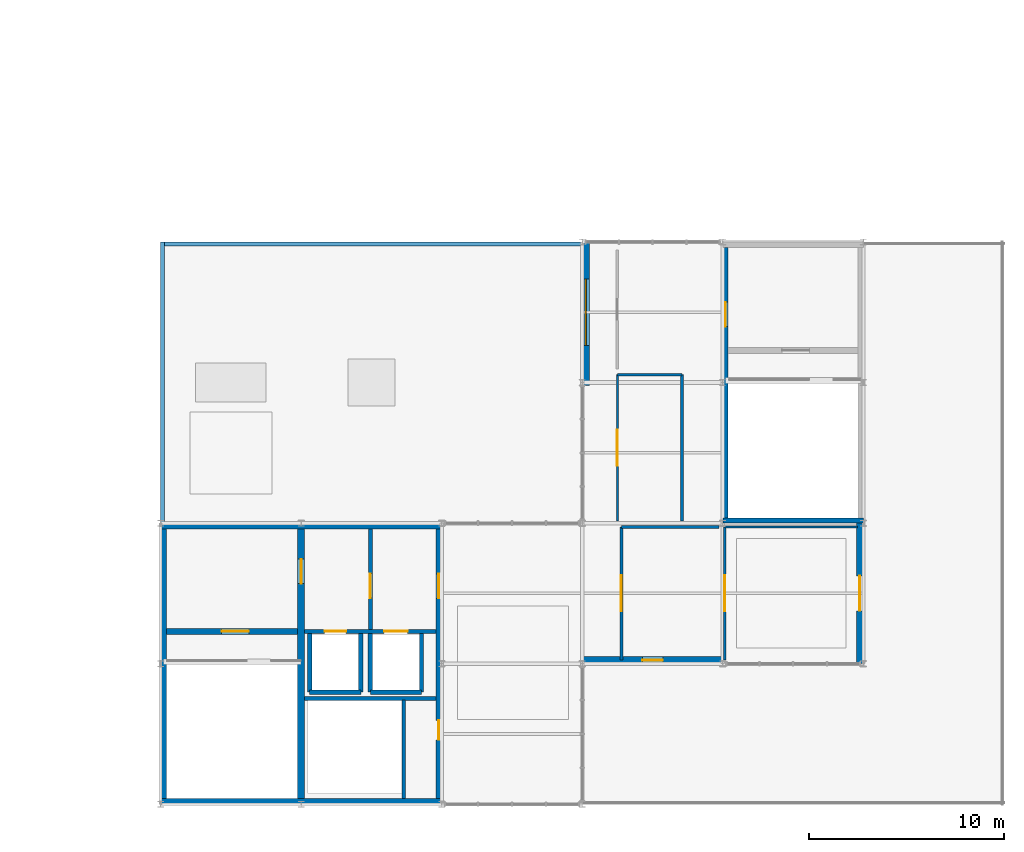
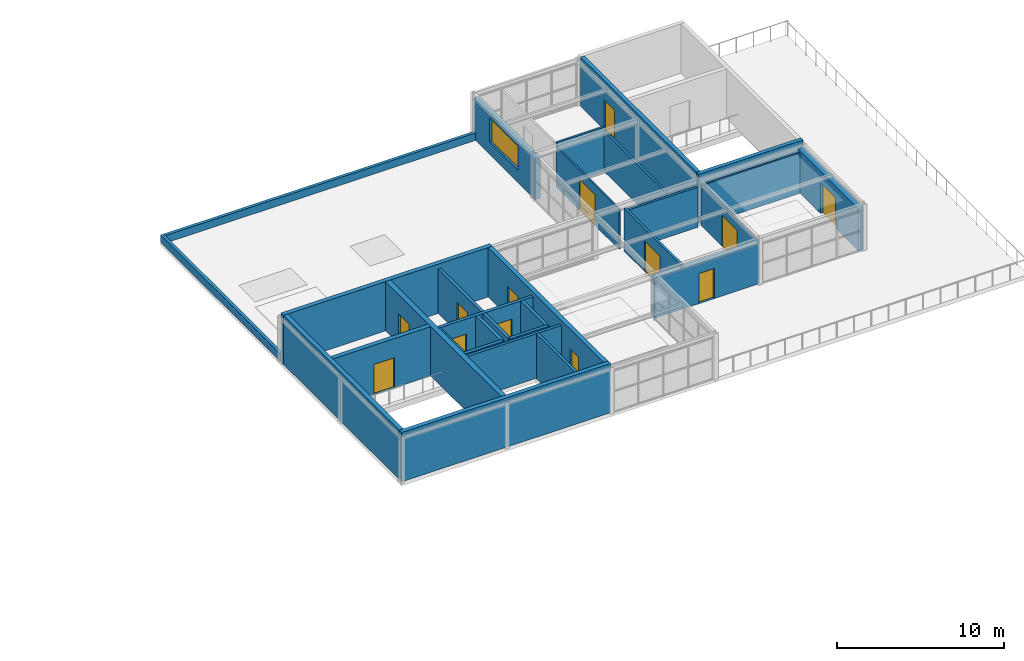
# One storey, part 17 of 22: 30 walls, 13 doors, 1 window, 14 openings.
"""IFC4 building model written with IfcOpenShell, lengths in metres."""

from ifc_helpers import new_model, si_unit, direction, frame, frame_2d, origin, place, context, subcontext, project, spatial, rectangle, extrude, material, layer, layer_set, type_object, element, fill, save


model = new_model("IFC4")

# Units and contexts
model_context = context("Model", 3, precision=1e-05, world=origin(), true_north=direction((0.0, 1.0)))
body_context = subcontext(model_context, "Body", "Model", "MODEL_VIEW")
ifc_project = project(units=[si_unit("LENGTHUNIT", "METRE"), si_unit("AREAUNIT", "SQUARE_METRE"), si_unit("VOLUMEUNIT", "CUBIC_METRE"), si_unit("PLANEANGLEUNIT", "RADIAN"), si_unit("MASSUNIT", "GRAM", prefix="KILO")], contexts=[model_context])

# Site, building, storey
site_placement = place(None, origin())
site = spatial("IfcSite", under=ifc_project, at=site_placement, CompositionType="ELEMENT")
building_placement = place(site_placement, origin())
building = spatial("IfcBuilding", under=site, at=building_placement, Name="Leyfeld Transit Interchange", CompositionType="ELEMENT")
storey_placement = place(building_placement, frame((0.0, 0.0, 18.0)))
storey = spatial("IfcBuildingStorey", under=building, at=storey_placement, Name="L04", CompositionType="ELEMENT", Elevation=18.0)

# Wall, opening, window
ifc_material_1 = material(Name="Leitha limestone ashlar - Insulated", Category="masonry")
ifc_layer_1 = layer(ifc_material_1, 0.360107421875, Name="Leitha limestone ashlar - Insulated")
ifc_layer_set_1 = layer_set([ifc_layer_1], Name="Leitha limestone ashlar - Insulated")
wall_type_1 = type_object("IfcWallType", Name="WL-EXT-STN-360", PredefinedType="SOLIDWALL", material=ifc_layer_set_1)
wall_1_placement = place(storey_placement, frame((158.580078125, 79.059814453125, 0.0), z_axis=(0.0, 0.0, 1.0), x_axis=(0.0, 1.0, 0.0)))
wall_1 = element("IfcWall", 1, at=wall_1_placement, inside=storey, type_object=wall_type_1, Name="External Facade Wall EW-L04-131", PredefinedType="SOLIDWALL", context=body_context, shape_type="SweptSolid", body=[
    extrude(rectangle(XDim=7.340087890625, YDim=0.360107421875, at=frame_2d((3.669921875, 0.0))), origin(), (0.0, 0.0, 1.0), 2.97998046875),
])
opening_1_placement = place(wall_1_placement, frame((2.0400390625, 0.0, 0.89990234375)))
opening_1 = element("IfcOpeningElement", 2, at=opening_1_placement, cuts=wall_1, Name="Opening WM-16", PredefinedType="OPENING", context=body_context, shape_type="SweptSolid", body=[
    extrude(rectangle(XDim=3.39990234375, YDim=1.75, at=frame_2d((1.699951171875, 0.875))), frame((0.0, 0.18994140625, 0.0), z_axis=(0.0, -1.0, 0.0), x_axis=(1.0, 0.0, 0.0)), (0.0, 0.0, 1.0), 0.380126953125),
])
ifc_material_2 = material(Name="Triple low-E insulated glazing", Category="glass")
window_type = type_object("IfcWindowType", Name="WIN-MOD-16", PartitioningType="SINGLE_PANEL", PredefinedType="WINDOW", material=ifc_material_2)
window_placement = place(opening_1_placement, origin())
window = element("IfcWindow", 3, at=window_placement, inside=storey, type_object=window_type, Name="Facade Window L04 093", OverallHeight=1.75, OverallWidth=3.39990234375, PartitioningType="SINGLE_PANEL", PredefinedType="WINDOW", context=body_context, shape_type="SweptSolid", body=[
    extrude(rectangle(XDim=3.39990234375, YDim=1.75, at=frame_2d((1.699951171875, 0.875))), frame((0.0, 0.030029296875, 0.0), z_axis=(0.0, -1.0, 0.0), x_axis=(1.0, 0.0, 0.0)), (0.0, 0.0, 1.0), 0.06005859375),
])
fill(opening_1, window)

# Wall, opening, door
wall_2_placement = place(storey_placement, frame((172.6201171875, 72.0, 0.0), z_axis=(0.0, 0.0, 1.0), x_axis=(0.0, -1.0, 0.0)))
wall_2 = element("IfcWall", 4, at=wall_2_placement, inside=storey, type_object=wall_type_1, Name="External Facade Wall EW-L04-132", PredefinedType="SOLIDWALL", context=body_context, shape_type="SweptSolid", body=[
    extrude(rectangle(XDim=7.199951171875, YDim=0.360107421875, at=frame_2d((3.60009765625, 0.0))), origin(), (0.0, 0.0, 1.0), 3.080078125),
])
opening_2_placement = place(wall_2_placement, frame((2.699951171875, 0.0, 0.0)))
opening_2 = element("IfcOpeningElement", 5, at=opening_2_placement, cuts=wall_2, Name="Opening DE-06", PredefinedType="OPENING", context=body_context, shape_type="SweptSolid", body=[
    extrude(rectangle(XDim=1.800048828125, YDim=2.25, at=frame_2d((0.89990234375, 1.125))), frame((0.0, 0.18994140625, 0.0), z_axis=(0.0, -1.0, 0.0), x_axis=(1.0, 0.0, 0.0)), (0.0, 0.0, 1.0), 0.380126953125),
])
ifc_material_3 = material(Name="Anodised aluminium EN AW-6060 T66", Category="aluminium")
door_type_1 = type_object("IfcDoorType", Name="DR-EXT-TER-1800x2250", OperationType="NOTDEFINED", PredefinedType="DOOR", material=ifc_material_3)
door_1_placement = place(opening_2_placement, origin())
door_1 = element("IfcDoor", 6, at=door_1_placement, inside=storey, type_object=door_type_1, Name="DR-TER-L04-024", OperationType="SINGLE_SWING_LEFT", OverallHeight=2.25, OverallWidth=1.800048828125, PredefinedType="DOOR", context=body_context, shape_type="SweptSolid", body=[
    extrude(rectangle(XDim=1.800048828125, YDim=2.25, at=frame_2d((0.89990234375, 1.125))), frame((0.0, 0.02490234375, 0.0), z_axis=(0.0, -1.0, 0.0), x_axis=(1.0, 0.0, 0.0)), (0.0, 0.0, 1.0), 0.050048828125),
])
fill(opening_2, door_1)

wall_3_placement = place(storey_placement, frame((165.642578125, 64.97998046875, 0.0), z_axis=(0.0, 0.0, 1.0), x_axis=(-1.0, 0.0, 0.0)))
wall_3 = element("IfcWall", 7, at=wall_3_placement, inside=storey, type_object=wall_type_1, Name="External Facade Wall EW-L04-133", PredefinedType="SOLIDWALL", context=body_context, shape_type="SweptSolid", body=[
    extrude(rectangle(XDim=7.24267578125, YDim=0.360107421875, at=frame_2d((3.621337890625, 0.0))), origin(), (0.0, 0.0, 1.0), 2.929931640625),
])
opening_3_placement = place(wall_3_placement, frame((3.117431640625, 0.0, 0.0)))
opening_3 = element("IfcOpeningElement", 8, at=opening_3_placement, cuts=wall_3, Name="Opening DE-07", PredefinedType="OPENING", context=body_context, shape_type="SweptSolid", body=[
    extrude(rectangle(XDim=1.050048828125, YDim=2.199951171875, at=frame_2d((0.52490234375, 1.10009765625))), frame((0.0, 0.18994140625, 0.0), z_axis=(0.0, -1.0, 0.0), x_axis=(1.0, 0.0, 0.0)), (0.0, 0.0, 1.0), 0.380126953125),
])
door_type_2 = type_object("IfcDoorType", Name="DR-EXT-TER-1050x2200", OperationType="NOTDEFINED", PredefinedType="DOOR", material=ifc_material_3)
door_2_placement = place(opening_3_placement, origin())
door_2 = element("IfcDoor", 9, at=door_2_placement, inside=storey, type_object=door_type_2, Name="DR-TER-L04-025", OperationType="SINGLE_SWING_RIGHT", OverallHeight=2.199951171875, OverallWidth=1.050048828125, PredefinedType="DOOR", context=body_context, shape_type="SweptSolid", body=[
    extrude(rectangle(XDim=1.050048828125, YDim=2.199951171875, at=frame_2d((0.52490234375, 1.10009765625))), frame((0.0, 0.02490234375, 0.0), z_axis=(0.0, -1.0, 0.0), x_axis=(1.0, 0.0, 0.0)), (0.0, 0.0, 1.0), 0.050048828125),
])
fill(opening_3, door_2)

# Wall
ifc_material_4 = material(Name="Gypsum plasterboard acoustic stud", Category="gypsum")
ifc_layer_2 = layer(ifc_material_4, 0.159912109375, Name="Gypsum plasterboard acoustic stud")
ifc_layer_set_2 = layer_set([ifc_layer_2], Name="Gypsum plasterboard acoustic stud")
wall_type_2 = type_object("IfcWallType", Name="WL-INT-ACU-160", PredefinedType="PARTITIONING", material=ifc_layer_set_2)
wall_4_placement = place(storey_placement, frame((160.39990234375, 71.800048828125, 0.0), z_axis=(0.0, 0.0, 1.0), x_axis=(1.0, 0.0, 0.0)))
element("IfcWall", 10, at=wall_4_placement, inside=storey, type_object=wall_type_2, Name="Interior Partition L04-SEM-02 N", PredefinedType="PARTITIONING", context=body_context, shape_type="SweptSolid", body=[
    extrude(rectangle(XDim=5.0, YDim=0.159912109375, at=frame_2d((2.5, 0.0))), origin(), (0.0, 0.0, 1.0), 2.929931640625),
])

# Wall, opening, door
wall_5_placement = place(storey_placement, frame((160.39990234375, 65.0, 0.0), z_axis=(0.0, 0.0, 1.0), x_axis=(0.0, 1.0, 0.0)))
wall_5 = element("IfcWall", 11, at=wall_5_placement, inside=storey, type_object=wall_type_2, Name="Interior Partition L04-SEM-02 W", PredefinedType="PARTITIONING", context=body_context, shape_type="SweptSolid", body=[
    extrude(rectangle(XDim=6.800048828125, YDim=0.159912109375, at=frame_2d((3.39990234375, 0.0))), origin(), (0.0, 0.0, 1.0), 3.110107421875),
])
opening_4_placement = place(wall_5_placement, frame((2.47998046875, 0.0, 0.0)))
opening_4 = element("IfcOpeningElement", 12, at=opening_4_placement, cuts=wall_5, Name="Opening DU-20", PredefinedType="OPENING", context=body_context, shape_type="SweptSolid", body=[
    extrude(rectangle(XDim=1.840087890625, YDim=2.239990234375, at=frame_2d((0.919921875, 1.1201171875))), frame((0.0, 0.08984375, 0.0), z_axis=(0.0, -1.0, 0.0), x_axis=(1.0, 0.0, 0.0)), (0.0, 0.0, 1.0), 0.179931640625),
])
ifc_material_5 = material(Name="Austrian larch glulam GL28h", Category="wood")
door_type_3 = type_object("IfcDoorType", Name="DR-UNQ-20", OperationType="NOTDEFINED", PredefinedType="DOOR", material=ifc_material_5)
door_3_placement = place(opening_4_placement, origin())
door_3 = element("IfcDoor", 13, at=door_3_placement, inside=storey, type_object=door_type_3, Name="DR-L04-SEM-02", OperationType="DOUBLE_DOOR_SINGLE_SWING", OverallHeight=2.239990234375, OverallWidth=1.840087890625, PredefinedType="DOOR", context=body_context, shape_type="SweptSolid", body=[
    extrude(rectangle(XDim=1.840087890625, YDim=2.239990234375, at=frame_2d((0.919921875, 1.1201171875))), frame((0.0, 0.02490234375, 0.0), z_axis=(0.0, -1.0, 0.0), x_axis=(1.0, 0.0, 0.0)), (0.0, 0.0, 1.0), 0.050048828125),
])
fill(opening_4, door_3)

ifc_material_6 = material(Name="Concrete C35/45", Category="concrete")
ifc_layer_3 = layer(ifc_material_6, 0.199951171875, Name="Concrete C35/45")
ifc_layer_set_3 = layer_set([ifc_layer_3], Name="Concrete C35/45")
wall_type_3 = type_object("IfcWallType", Name="WL-INT-FFL-200", PredefinedType="PARTITIONING", material=ifc_layer_set_3)
wall_6_placement = place(storey_placement, frame((147.550048828125, 66.56005859375, 0.0), z_axis=(0.0, 0.0, 1.0), x_axis=(0.0, 1.0, 0.0)))
wall_6 = element("IfcWall", 14, at=wall_6_placement, inside=storey, type_object=wall_type_3, Name="Core K4 Firefighting Lobby Compartment Wall L04", PredefinedType="PARTITIONING", context=body_context, shape_type="SweptSolid", body=[
    extrude(rectangle(XDim=5.139892578125, YDim=0.199951171875, at=frame_2d((2.56982421875, 0.0))), origin(), (0.0, 0.0, 1.0), 3.25),
])
opening_5_placement = place(wall_6_placement, frame((1.60009765625, 0.0, 0.0)))
opening_5 = element("IfcOpeningElement", 15, at=opening_5_placement, cuts=wall_6, Name="Opening DI-02", PredefinedType="OPENING", context=body_context, shape_type="SweptSolid", body=[
    extrude(rectangle(XDim=1.25, YDim=2.199951171875, at=frame_2d((0.625, 1.10009765625))), frame((0.0, 0.10986328125, 0.0), z_axis=(0.0, -1.0, 0.0), x_axis=(1.0, 0.0, 0.0)), (0.0, 0.0, 1.0), 0.219970703125),
])
ifc_material_7 = material(Name="Galvanised steel S275JR", Category="steel")
door_type_4 = type_object("IfcDoorType", Name="DR-FFL-1250x2200", OperationType="NOTDEFINED", PredefinedType="DOOR", material=ifc_material_7)
door_4_placement = place(opening_5_placement, origin())
door_4 = element("IfcDoor", 16, at=door_4_placement, inside=storey, type_object=door_type_4, Name="DR-FFL-CON-K4-L04", OperationType="SINGLE_SWING_LEFT", OverallHeight=2.199951171875, OverallWidth=1.25, PredefinedType="DOOR", context=body_context, shape_type="SweptSolid", body=[
    extrude(rectangle(XDim=1.25, YDim=2.199951171875, at=frame_2d((0.625, 1.10009765625))), frame((0.0, 0.02490234375, 0.0), z_axis=(0.0, -1.0, 0.0), x_axis=(1.0, 0.0, 0.0)), (0.0, 0.0, 1.0), 0.050048828125),
])
fill(opening_5, door_4)

ifc_material_8 = material(Name="Laminated safety acoustic glazing", Category="glass")
ifc_layer_4 = layer(ifc_material_8, 0.10498046875, Name="Laminated safety acoustic glazing")
ifc_layer_set_4 = layer_set([ifc_layer_4], Name="Laminated safety acoustic glazing")
wall_type_4 = type_object("IfcWallType", Name="WL-INT-GLZ-105", PredefinedType="PARTITIONING", material=ifc_layer_set_4)
wall_7_placement = place(storey_placement, frame((160.199951171875, 72.10009765625, 0.0), z_axis=(0.0, 0.0, 1.0), x_axis=(0.0, 1.0, 0.0)))
wall_7 = element("IfcWall", 17, at=wall_7_placement, inside=storey, type_object=wall_type_4, Name="Interior Partition L04-STO-04 W", PredefinedType="PARTITIONING", context=body_context, shape_type="SweptSolid", body=[
    extrude(rectangle(XDim=7.5, YDim=0.10498046875, at=frame_2d((3.75, 0.0))), origin(), (0.0, 0.0, 1.0), 2.929931640625),
])
opening_6_placement = place(wall_7_placement, frame((2.830078125, 0.0, 0.0)))
opening_6 = element("IfcOpeningElement", 18, at=opening_6_placement, cuts=wall_7, Name="Opening DU-20", PredefinedType="OPENING", context=body_context, shape_type="SweptSolid", body=[
    extrude(rectangle(XDim=1.840087890625, YDim=2.239990234375, at=frame_2d((0.919921875, 1.1201171875))), frame((0.0, 0.0625, 0.0), z_axis=(0.0, -1.0, 0.0), x_axis=(1.0, 0.0, 0.0)), (0.0, 0.0, 1.0), 0.125),
])
door_5_placement = place(opening_6_placement, origin())
door_5 = element("IfcDoor", 19, at=door_5_placement, inside=storey, type_object=door_type_3, Name="DR-L04-STO-04", OperationType="DOUBLE_DOOR_SINGLE_SWING", OverallHeight=2.239990234375, OverallWidth=1.840087890625, PredefinedType="DOOR", context=body_context, shape_type="SweptSolid", body=[
    extrude(rectangle(XDim=1.840087890625, YDim=2.239990234375, at=frame_2d((0.919921875, 1.1201171875))), frame((0.0, 0.02490234375, 0.0), z_axis=(0.0, -1.0, 0.0), x_axis=(1.0, 0.0, 0.0)), (0.0, 0.0, 1.0), 0.050048828125),
])
fill(opening_6, door_5)

# Wall
ifc_layer_5 = layer(ifc_material_4, 0.114990234375, Name="Gypsum plasterboard acoustic stud")
ifc_layer_set_5 = layer_set([ifc_layer_5], Name="Gypsum plasterboard acoustic stud")
wall_type_5 = type_object("IfcWallType", Name="WL-INT-OFF-115", PredefinedType="PARTITIONING", material=ifc_layer_set_5)
wall_8_placement = place(storey_placement, frame((165.699951171875, 71.800048828125, 0.0), z_axis=(0.0, 0.0, 1.0), x_axis=(1.0, 0.0, 0.0)))
element("IfcWall", 20, at=wall_8_placement, inside=storey, type_object=wall_type_5, Name="Interior Partition L04-EXH-02 N", PredefinedType="PARTITIONING", context=body_context, shape_type="SweptSolid", body=[
    extrude(rectangle(XDim=6.800048828125, YDim=0.114990234375, at=frame_2d((3.39990234375, 0.0))), origin(), (0.0, 0.0, 1.0), 2.929931640625),
])

# Wall, opening, door
wall_9_placement = place(storey_placement, frame((165.699951171875, 65.0, 0.0), z_axis=(0.0, 0.0, 1.0), x_axis=(0.0, 1.0, 0.0)))
wall_9 = element("IfcWall", 21, at=wall_9_placement, inside=storey, type_object=wall_type_5, Name="Interior Partition L04-EXH-02 W", PredefinedType="PARTITIONING", context=body_context, shape_type="SweptSolid", body=[
    extrude(rectangle(XDim=6.800048828125, YDim=0.114990234375, at=frame_2d((3.39990234375, 0.0))), origin(), (0.0, 0.0, 1.0), 2.97998046875),
])
opening_7_placement = place(wall_9_placement, frame((2.47998046875, 0.0, 0.0)))
opening_7 = element("IfcOpeningElement", 22, at=opening_7_placement, cuts=wall_9, Name="Opening DU-20", PredefinedType="OPENING", context=body_context, shape_type="SweptSolid", body=[
    extrude(rectangle(XDim=1.840087890625, YDim=2.239990234375, at=frame_2d((0.919921875, 1.1201171875))), frame((0.0, 0.0673828125, 0.0), z_axis=(0.0, -1.0, 0.0), x_axis=(1.0, 0.0, 0.0)), (0.0, 0.0, 1.0), 0.135009765625),
])
door_6_placement = place(opening_7_placement, origin())
door_6 = element("IfcDoor", 23, at=door_6_placement, inside=storey, type_object=door_type_3, Name="DR-L04-EXH-02", OperationType="DOUBLE_DOOR_SINGLE_SWING", OverallHeight=2.239990234375, OverallWidth=1.840087890625, PredefinedType="DOOR", context=body_context, shape_type="SweptSolid", body=[
    extrude(rectangle(XDim=1.840087890625, YDim=2.239990234375, at=frame_2d((0.919921875, 1.1201171875))), frame((0.0, 0.02490234375, 0.0), z_axis=(0.0, -1.0, 0.0), x_axis=(1.0, 0.0, 0.0)), (0.0, 0.0, 1.0), 0.050048828125),
])
fill(opening_7, door_6)

# Walls
ifc_material_9 = material(Name="Calcium silicate masonry", Category="masonry")
ifc_layer_6 = layer(ifc_material_9, 0.18994140625, Name="Calcium silicate masonry")
ifc_layer_set_6 = layer_set([ifc_layer_6], Name="Calcium silicate masonry")
wall_type_6 = type_object("IfcWallType", Name="WL-INT-PLT-190", PredefinedType="PARTITIONING", material=ifc_layer_set_6)
wall_10_placement = place(storey_placement, frame((144.179931640625, 63.02001953125, 0.0), z_axis=(0.0, 0.0, 1.0), x_axis=(1.0, 0.0, 0.0)))
element("IfcWall", 24, at=wall_10_placement, inside=storey, type_object=wall_type_6, Name="Core K4 Riser Compartment Wall L04", PredefinedType="PARTITIONING", context=body_context, shape_type="SweptSolid", body=[
    extrude(rectangle(XDim=6.719970703125, YDim=0.18994140625, at=frame_2d((3.35986328125, 0.0))), origin(), (0.0, 0.0, 1.0), 3.25),
])
wall_11_placement = place(storey_placement, frame((149.25, 57.89990234375, 0.0), z_axis=(0.0, 0.0, 1.0), x_axis=(0.0, 1.0, 0.0)))
element("IfcWall", 25, at=wall_11_placement, inside=storey, type_object=wall_type_6, Name="Core K4 Riser Shaft East Wall L04", PredefinedType="PARTITIONING", context=body_context, shape_type="SweptSolid", body=[
    extrude(rectangle(XDim=5.030029296875, YDim=0.18994140625, at=frame_2d((2.51513671875, 0.0))), origin(), (0.0, 0.0, 1.0), 3.25),
])

# Wall, openings, doors
ifc_layer_7 = layer(ifc_material_6, 0.219970703125, Name="Concrete C35/45")
ifc_layer_set_7 = layer_set([ifc_layer_7], Name="Concrete C35/45")
wall_type_7 = type_object("IfcWallType", Name="WL-INT-SHF-220", PredefinedType="PARTITIONING", material=ifc_layer_set_7)
wall_12_placement = place(storey_placement, frame((144.179931640625, 66.449951171875, 0.0), z_axis=(0.0, 0.0, 1.0), x_axis=(1.0, 0.0, 0.0)))
wall_12 = element("IfcWall", 26, at=wall_12_placement, inside=storey, type_object=wall_type_7, Name="Core K4 Lift Shaft Front Wall L04", PredefinedType="PARTITIONING", context=body_context, shape_type="SweptSolid", body=[
    extrude(rectangle(XDim=6.719970703125, YDim=0.219970703125, at=frame_2d((3.35986328125, 0.0))), origin(), (0.0, 0.0, 1.0), 3.25),
])
opening_8_placement = place(wall_12_placement, frame((1.02001953125, 0.0, 0.0)))
opening_8 = element("IfcOpeningElement", 27, at=opening_8_placement, cuts=wall_12, Name="Opening LD-01", PredefinedType="OPENING", context=body_context, shape_type="SweptSolid", body=[
    extrude(rectangle(XDim=1.10009765625, YDim=2.14990234375, at=frame_2d((0.550048828125, 1.074951171875))), frame((0.0, 0.119873046875, 0.0), z_axis=(0.0, -1.0, 0.0), x_axis=(1.0, 0.0, 0.0)), (0.0, 0.0, 1.0), 0.239990234375),
])
opening_9_placement = place(wall_12_placement, frame((4.070068359375, 0.0, 0.0)))
opening_9 = element("IfcOpeningElement", 28, at=opening_9_placement, cuts=wall_12, Name="Opening LD-02", PredefinedType="OPENING", context=body_context, shape_type="SweptSolid", body=[
    extrude(rectangle(XDim=1.199951171875, YDim=2.14990234375, at=frame_2d((0.60009765625, 1.074951171875))), frame((0.0, 0.119873046875, 0.0), z_axis=(0.0, -1.0, 0.0), x_axis=(1.0, 0.0, 0.0)), (0.0, 0.0, 1.0), 0.239990234375),
])
ifc_material_10 = material(Name="Stainless steel EN 1.4404", Category="steel")
door_type_5 = type_object("IfcDoorType", Name="DR-LD-FFL-1100x2150", OperationType="NOTDEFINED", PredefinedType="DOOR", material=ifc_material_10)
door_7_placement = place(opening_8_placement, origin())
door_7 = element("IfcDoor", 29, at=door_7_placement, inside=storey, type_object=door_type_5, Name="LD-FFL-2-L04", OperationType="DOUBLE_DOOR_SLIDING", OverallHeight=2.14990234375, OverallWidth=1.10009765625, PredefinedType="DOOR", context=body_context, shape_type="SweptSolid", body=[
    extrude(rectangle(XDim=1.10009765625, YDim=2.14990234375, at=frame_2d((0.550048828125, 1.074951171875))), frame((0.0, 0.02490234375, 0.0), z_axis=(0.0, -1.0, 0.0), x_axis=(1.0, 0.0, 0.0)), (0.0, 0.0, 1.0), 0.050048828125),
])
fill(opening_8, door_7)
door_type_6 = type_object("IfcDoorType", Name="DR-LD-PAS-1200x2150", OperationType="NOTDEFINED", PredefinedType="DOOR", material=ifc_material_10)
door_8_placement = place(opening_9_placement, origin())
door_8 = element("IfcDoor", 30, at=door_8_placement, inside=storey, type_object=door_type_6, Name="LD-PL-4-L04", OperationType="DOUBLE_DOOR_SLIDING", OverallHeight=2.14990234375, OverallWidth=1.199951171875, PredefinedType="DOOR", context=body_context, shape_type="SweptSolid", body=[
    extrude(rectangle(XDim=1.199951171875, YDim=2.14990234375, at=frame_2d((0.60009765625, 1.074951171875))), frame((0.0, 0.02490234375, 0.0), z_axis=(0.0, -1.0, 0.0), x_axis=(1.0, 0.0, 0.0)), (0.0, 0.0, 1.0), 0.050048828125),
])
fill(opening_9, door_8)

# Walls
wall_13_placement = place(storey_placement, frame((144.43994140625, 63.340087890625, 0.0), z_axis=(0.0, 0.0, 1.0), x_axis=(1.0, 0.0, 0.0)))
element("IfcWall", 31, at=wall_13_placement, inside=storey, type_object=wall_type_7, Name="Core K4 Lift FFL-2 Shaft Back Wall L04", PredefinedType="PARTITIONING", context=body_context, shape_type="SweptSolid", body=[
    extrude(rectangle(XDim=2.6201171875, YDim=0.219970703125, at=frame_2d((1.31005859375, 0.0))), origin(), (0.0, 0.0, 1.0), 3.25),
])
for number, where, z_axis, x_axis, name in (
    (32, (144.43994140625, 63.340087890625, 0.0), (0.0, 0.0, 1.0), (0.0, 1.0, 0.0), "Core K4 Lift FFL-2 Shaft Wall W L04"),
    (33, (147.06005859375, 63.340087890625, 0.0), (0.0, 0.0, 1.0), (0.0, 1.0, 0.0), "Core K4 Lift FFL-2 Shaft Wall E L04"),
):
    element("IfcWall", number, at=place(storey_placement, frame(where, z_axis=z_axis, x_axis=x_axis)), inside=storey, type_object=wall_type_7, Name=name, PredefinedType="PARTITIONING", context=body_context, shape_type="SweptSolid", body=[
        extrude(rectangle(XDim=3.0, YDim=0.219970703125, at=frame_2d((1.5, 0.0))), origin(), (0.0, 0.0, 1.0), 3.25),
    ])
wall_14_placement = place(storey_placement, frame((147.5400390625, 63.340087890625, 0.0), z_axis=(0.0, 0.0, 1.0), x_axis=(1.0, 0.0, 0.0)))
element("IfcWall", 34, at=wall_14_placement, inside=storey, type_object=wall_type_7, Name="Core K4 Lift PL-4 Shaft Back Wall L04", PredefinedType="PARTITIONING", context=body_context, shape_type="SweptSolid", body=[
    extrude(rectangle(XDim=2.619873046875, YDim=0.219970703125, at=frame_2d((1.31005859375, 0.0))), origin(), (0.0, 0.0, 1.0), 3.25),
])
for number, where, z_axis, x_axis, name in (
    (35, (147.5400390625, 63.340087890625, 0.0), (0.0, 0.0, 1.0), (0.0, 1.0, 0.0), "Core K4 Lift PL-4 Shaft Wall W L04"),
    (36, (150.159912109375, 63.340087890625, 0.0), (0.0, 0.0, 1.0), (0.0, 1.0, 0.0), "Core K4 Lift PL-4 Shaft Wall E L04"),
):
    element("IfcWall", number, at=place(storey_placement, frame(where, z_axis=z_axis, x_axis=x_axis)), inside=storey, type_object=wall_type_7, Name=name, PredefinedType="PARTITIONING", context=body_context, shape_type="SweptSolid", body=[
        extrude(rectangle(XDim=3.0, YDim=0.219970703125, at=frame_2d((1.5, 0.0))), origin(), (0.0, 0.0, 1.0), 3.25),
    ])
ifc_layer_8 = layer(ifc_material_4, 0.14501953125, Name="Gypsum plasterboard acoustic stud")
ifc_layer_set_8 = layer_set([ifc_layer_8], Name="Gypsum plasterboard acoustic stud")
wall_type_8 = type_object("IfcWallType", Name="WL-INT-STD-145", PredefinedType="PARTITIONING", material=ifc_layer_set_8)
wall_15_placement = place(storey_placement, frame((160.199951171875, 79.60009765625, 0.0), z_axis=(0.0, 0.0, 1.0), x_axis=(1.0, 0.0, 0.0)))
element("IfcWall", 37, at=wall_15_placement, inside=storey, type_object=wall_type_8, Name="Interior Partition L04-STO-04 N", PredefinedType="PARTITIONING", context=body_context, shape_type="SweptSolid", body=[
    extrude(rectangle(XDim=3.300048828125, YDim=0.14501953125, at=frame_2d((1.64990234375, 0.0))), origin(), (0.0, 0.0, 1.0), 3.25),
])
wall_16_placement = place(storey_placement, frame((163.5, 79.60009765625, 0.0), z_axis=(0.0, 0.0, 1.0), x_axis=(0.0, -1.0, 0.0)))
element("IfcWall", 38, at=wall_16_placement, inside=storey, type_object=wall_type_8, Name="Interior Partition L04-STO-04 E", PredefinedType="PARTITIONING", context=body_context, shape_type="SweptSolid", body=[
    extrude(rectangle(XDim=7.5, YDim=0.14501953125, at=frame_2d((3.75, 0.0))), origin(), (0.0, 0.0, 1.0), 2.929931640625),
])
ifc_layer_9 = layer(ifc_material_1, 0.2099609375, Name="Leitha limestone ashlar - Insulated")
ifc_layer_set_9 = layer_set([ifc_layer_9], Name="Leitha limestone ashlar - Insulated")
wall_type_9 = type_object("IfcWallType", Name="WL-PAR-210", PredefinedType="PARAPET", material=ifc_layer_set_9)
wall_17_placement = place(storey_placement, frame((158.39990234375, 86.294921875, 0.0), z_axis=(0.0, 0.0, 1.0), x_axis=(-1.0, 0.0, 0.0)))
element("IfcWall", 39, at=wall_17_placement, inside=storey, type_object=wall_type_9, Name="Roof Parapet L04 009", PredefinedType="PARAPET", context=body_context, shape_type="SweptSolid", body=[
    extrude(rectangle(XDim=21.599853515625, YDim=0.2099609375, at=frame_2d((10.7998046875, 0.0))), origin(), (0.0, 0.0, 1.0), 0.550048828125),
])
wall_18_placement = place(storey_placement, frame((136.905029296875, 86.39990234375, 0.0), z_axis=(0.0, 0.0, 1.0), x_axis=(0.0, -1.0, 0.0)))
element("IfcWall", 40, at=wall_18_placement, inside=storey, type_object=wall_type_9, Name="Roof Parapet L04 010", PredefinedType="PARAPET", context=body_context, shape_type="SweptSolid", body=[
    extrude(rectangle(XDim=14.39990234375, YDim=0.2099609375, at=frame_2d((7.199951171875, 0.0))), origin(), (0.0, 0.0, 1.0), 0.550048828125),
])
ifc_layer_10 = layer(ifc_material_6, 0.300048828125, Name="Concrete C35/45")
ifc_layer_set_10 = layer_set([ifc_layer_10], Name="Concrete C35/45")
wall_type_10 = type_object("IfcWallType", Name="WL-SH-300", PredefinedType="SHEAR", material=ifc_layer_set_10)
wall_19_placement = place(storey_placement, frame((136.800048828125, 71.85009765625, 0.0), z_axis=(0.0, 0.0, 1.0), x_axis=(1.0, 0.0, 0.0)))
element("IfcWall", 41, at=wall_19_placement, inside=storey, type_object=wall_type_10, Name="Core K4 Shear Wall N L04", PredefinedType="SHEAR", context=body_context, shape_type="SweptSolid", body=[
    extrude(rectangle(XDim=14.39990234375, YDim=0.300048828125, at=frame_2d((7.199951171875, 0.0))), origin(), (0.0, 0.0, 1.0), 3.60009765625),
])

# Wall, openings, doors
wall_20_placement = place(storey_placement, frame((151.050048828125, 71.699951171875, 0.0), z_axis=(0.0, 0.0, 1.0), x_axis=(0.0, -1.0, 0.0)))
wall_20 = element("IfcWall", 42, at=wall_20_placement, inside=storey, type_object=wall_type_10, Name="Core K4 Shear Wall E L04", PredefinedType="SHEAR", context=body_context, shape_type="SweptSolid", body=[
    extrude(rectangle(XDim=13.800048828125, YDim=0.300048828125, at=frame_2d((6.89990234375, 0.0))), origin(), (0.0, 0.0, 1.0), 3.60009765625),
])
opening_10_placement = place(wall_20_placement, frame((9.800048828125, 0.0, 0.0)))
opening_10 = element("IfcOpeningElement", 43, at=opening_10_placement, cuts=wall_20, Name="Opening DI-05", PredefinedType="OPENING", context=body_context, shape_type="SweptSolid", body=[
    extrude(rectangle(XDim=1.0, YDim=2.14990234375, at=frame_2d((0.5, 1.074951171875))), frame((0.0, 0.159912109375, 0.0), z_axis=(0.0, -1.0, 0.0), x_axis=(1.0, 0.0, 0.0)), (0.0, 0.0, 1.0), 0.320068359375),
])
opening_11_placement = place(wall_20_placement, frame((2.300048828125, 0.0, 0.0)))
opening_11 = element("IfcOpeningElement", 44, at=opening_11_placement, cuts=wall_20, Name="Opening DI-02", PredefinedType="OPENING", context=body_context, shape_type="SweptSolid", body=[
    extrude(rectangle(XDim=1.25, YDim=2.199951171875, at=frame_2d((0.625, 1.10009765625))), frame((0.0, 0.159912109375, 0.0), z_axis=(0.0, -1.0, 0.0), x_axis=(1.0, 0.0, 0.0)), (0.0, 0.0, 1.0), 0.320068359375),
])
door_9_placement = place(opening_11_placement, origin())
door_9 = element("IfcDoor", 45, at=door_9_placement, inside=storey, type_object=door_type_4, Name="DR-CORE-OUT-K4-L04", OperationType="SINGLE_SWING_RIGHT", OverallHeight=2.199951171875, OverallWidth=1.25, PredefinedType="DOOR", context=body_context, shape_type="SweptSolid", body=[
    extrude(rectangle(XDim=1.25, YDim=2.199951171875, at=frame_2d((0.625, 1.10009765625))), frame((0.0, 0.02490234375, 0.0), z_axis=(0.0, -1.0, 0.0), x_axis=(1.0, 0.0, 0.0)), (0.0, 0.0, 1.0), 0.050048828125),
])
fill(opening_11, door_9)
door_type_7 = type_object("IfcDoorType", Name="DR-OFF-1000x2150", OperationType="NOTDEFINED", PredefinedType="DOOR", material=ifc_material_5)
door_10_placement = place(opening_10_placement, origin())
door_10 = element("IfcDoor", 46, at=door_10_placement, inside=storey, type_object=door_type_7, Name="DR-RSR-K4-L04", OperationType="SINGLE_SWING_RIGHT", OverallHeight=2.14990234375, OverallWidth=1.0, PredefinedType="DOOR", context=body_context, shape_type="SweptSolid", body=[
    extrude(rectangle(XDim=1.0, YDim=2.14990234375, at=frame_2d((0.5, 1.074951171875))), frame((0.0, 0.02490234375, 0.0), z_axis=(0.0, -1.0, 0.0), x_axis=(1.0, 0.0, 0.0)), (0.0, 0.0, 1.0), 0.050048828125),
])
fill(opening_10, door_10)

# Walls
wall_21_placement = place(storey_placement, frame((151.199951171875, 57.75, 0.0), z_axis=(0.0, 0.0, 1.0), x_axis=(-1.0, 0.0, 0.0)))
element("IfcWall", 47, at=wall_21_placement, inside=storey, type_object=wall_type_10, Name="Core K4 Shear Wall S L04", PredefinedType="SHEAR", context=body_context, shape_type="SweptSolid", body=[
    extrude(rectangle(XDim=14.39990234375, YDim=0.300048828125, at=frame_2d((7.199951171875, 0.0))), origin(), (0.0, 0.0, 1.0), 3.60009765625),
])
wall_22_placement = place(storey_placement, frame((136.949951171875, 57.89990234375, 0.0), z_axis=(0.0, 0.0, 1.0), x_axis=(0.0, 1.0, 0.0)))
element("IfcWall", 48, at=wall_22_placement, inside=storey, type_object=wall_type_10, Name="Core K4 Shear Wall W L04", PredefinedType="SHEAR", context=body_context, shape_type="SweptSolid", body=[
    extrude(rectangle(XDim=13.800048828125, YDim=0.300048828125, at=frame_2d((6.89990234375, 0.0))), origin(), (0.0, 0.0, 1.0), 3.60009765625),
])

# Wall, opening, door
wall_23_placement = place(storey_placement, frame((137.10009765625, 66.449951171875, 0.0), z_axis=(0.0, 0.0, 1.0), x_axis=(1.0, 0.0, 0.0)))
wall_23 = element("IfcWall", 49, at=wall_23_placement, inside=storey, type_object=wall_type_10, Name="Core K4 Shear Wall STRN L04", PredefinedType="SHEAR", context=body_context, shape_type="SweptSolid", body=[
    extrude(rectangle(XDim=6.724853515625, YDim=0.300048828125, at=frame_2d((3.3623046875, 0.0))), origin(), (0.0, 0.0, 1.0), 3.60009765625),
])
opening_12_placement = place(wall_23_placement, frame((2.824951171875, 0.0, 0.0)))
opening_12 = element("IfcOpeningElement", 50, at=opening_12_placement, cuts=wall_23, Name="Opening DI-01", PredefinedType="OPENING", context=body_context, shape_type="SweptSolid", body=[
    extrude(rectangle(XDim=1.39990234375, YDim=2.199951171875, at=frame_2d((0.699951171875, 1.10009765625))), frame((0.0, 0.159912109375, 0.0), z_axis=(0.0, -1.0, 0.0), x_axis=(1.0, 0.0, 0.0)), (0.0, 0.0, 1.0), 0.320068359375),
])
door_type_8 = type_object("IfcDoorType", Name="DR-STR-1400x2200", OperationType="NOTDEFINED", PredefinedType="DOOR", material=ifc_material_7)
door_11_placement = place(opening_12_placement, origin())
door_11 = element("IfcDoor", 51, at=door_11_placement, inside=storey, type_object=door_type_8, Name="DR-STR-INT-K4-L04", OperationType="SINGLE_SWING_RIGHT", OverallHeight=2.199951171875, OverallWidth=1.39990234375, PredefinedType="DOOR", context=body_context, shape_type="SweptSolid", body=[
    extrude(rectangle(XDim=1.39990234375, YDim=2.199951171875, at=frame_2d((0.699951171875, 1.10009765625))), frame((0.0, 0.02490234375, 0.0), z_axis=(0.0, -1.0, 0.0), x_axis=(1.0, 0.0, 0.0)), (0.0, 0.0, 1.0), 0.050048828125),
])
fill(opening_12, door_11)

ifc_layer_11 = layer(ifc_material_6, 0.35009765625, Name="Concrete C35/45")
ifc_layer_set_11 = layer_set([ifc_layer_11], Name="Concrete C35/45")
wall_type_11 = type_object("IfcWallType", Name="WL-SH-350", PredefinedType="SHEAR", material=ifc_layer_set_11)
wall_24_placement = place(storey_placement, frame((144.0, 71.699951171875, 0.0), z_axis=(0.0, 0.0, 1.0), x_axis=(0.0, -1.0, 0.0)))
wall_24 = element("IfcWall", 52, at=wall_24_placement, inside=storey, type_object=wall_type_11, Name="Core K4 Shear Wall MID L04", PredefinedType="SHEAR", context=body_context, shape_type="SweptSolid", body=[
    extrude(rectangle(XDim=13.800048828125, YDim=0.35009765625, at=frame_2d((6.89990234375, 0.0))), origin(), (0.0, 0.0, 1.0), 3.60009765625),
])
opening_13_placement = place(wall_24_placement, frame((1.550048828125, 0.0, 0.0)))
opening_13 = element("IfcOpeningElement", 53, at=opening_13_placement, cuts=wall_24, Name="Opening DI-02", PredefinedType="OPENING", context=body_context, shape_type="SweptSolid", body=[
    extrude(rectangle(XDim=1.25, YDim=2.199951171875, at=frame_2d((0.625, 1.10009765625))), frame((0.0, 0.18505859375, 0.0), z_axis=(0.0, -1.0, 0.0), x_axis=(1.0, 0.0, 0.0)), (0.0, 0.0, 1.0), 0.3701171875),
])
door_12_placement = place(opening_13_placement, origin())
door_12 = element("IfcDoor", 54, at=door_12_placement, inside=storey, type_object=door_type_4, Name="DR-CORE-MID-K4-L04", OperationType="SINGLE_SWING_LEFT", OverallHeight=2.199951171875, OverallWidth=1.25, PredefinedType="DOOR", context=body_context, shape_type="SweptSolid", body=[
    extrude(rectangle(XDim=1.25, YDim=2.199951171875, at=frame_2d((0.625, 1.10009765625))), frame((0.0, 0.02490234375, 0.0), z_axis=(0.0, -1.0, 0.0), x_axis=(1.0, 0.0, 0.0)), (0.0, 0.0, 1.0), 0.050048828125),
])
fill(opening_13, door_12)

# Wall
ifc_layer_12 = layer(ifc_material_6, 0.27001953125, Name="Concrete C35/45")
ifc_layer_set_12 = layer_set([ifc_layer_12], Name="Concrete C35/45")
wall_type_12 = type_object("IfcWallType", Name="WL-SH-VAR-270", PredefinedType="SHEAR", material=ifc_layer_set_12)
wall_25_placement = place(storey_placement, frame((172.800048828125, 72.135009765625, 0.0), z_axis=(0.0, 0.0, 1.0), x_axis=(-1.0, 0.0, 0.0)))
element("IfcWall", 55, at=wall_25_placement, inside=storey, type_object=wall_type_12, Name="Core K5 Shear Wall S L04", PredefinedType="SHEAR", context=body_context, shape_type="SweptSolid", body=[
    extrude(rectangle(XDim=7.199951171875, YDim=0.27001953125, at=frame_2d((3.60009765625, 0.0))), origin(), (0.0, 0.0, 1.0), 3.60009765625),
])

# Wall, opening, door
wall_26_placement = place(storey_placement, frame((165.735107421875, 72.27001953125, 0.0), z_axis=(0.0, 0.0, 1.0), x_axis=(0.0, 1.0, 0.0)))
wall_26 = element("IfcWall", 56, at=wall_26_placement, inside=storey, type_object=wall_type_12, Name="Core K5 Shear Wall W L04", PredefinedType="SHEAR", context=body_context, shape_type="SweptSolid", body=[
    extrude(rectangle(XDim=13.85986328125, YDim=0.27001953125, at=frame_2d((6.929931640625, 0.0))), origin(), (0.0, 0.0, 1.0), 3.60009765625),
])
opening_14_placement = place(wall_26_placement, frame((9.800048828125, 0.0, 0.0)))
opening_14 = element("IfcOpeningElement", 57, at=opening_14_placement, cuts=wall_26, Name="Opening DI-02", PredefinedType="OPENING", context=body_context, shape_type="SweptSolid", body=[
    extrude(rectangle(XDim=1.25, YDim=2.199951171875, at=frame_2d((0.625, 1.10009765625))), frame((0.0, 0.14501953125, 0.0), z_axis=(0.0, -1.0, 0.0), x_axis=(1.0, 0.0, 0.0)), (0.0, 0.0, 1.0), 0.2900390625),
])
door_13_placement = place(opening_14_placement, origin())
door_13 = element("IfcDoor", 58, at=door_13_placement, inside=storey, type_object=door_type_4, Name="DR-CORE-OUT-K5-L04", OperationType="SINGLE_SWING_RIGHT", OverallHeight=2.199951171875, OverallWidth=1.25, PredefinedType="DOOR", context=body_context, shape_type="SweptSolid", body=[
    extrude(rectangle(XDim=1.25, YDim=2.199951171875, at=frame_2d((0.625, 1.10009765625))), frame((0.0, 0.02490234375, 0.0), z_axis=(0.0, -1.0, 0.0), x_axis=(1.0, 0.0, 0.0)), (0.0, 0.0, 1.0), 0.050048828125),
])
fill(opening_14, door_13)

save(model, "model.ifc")
